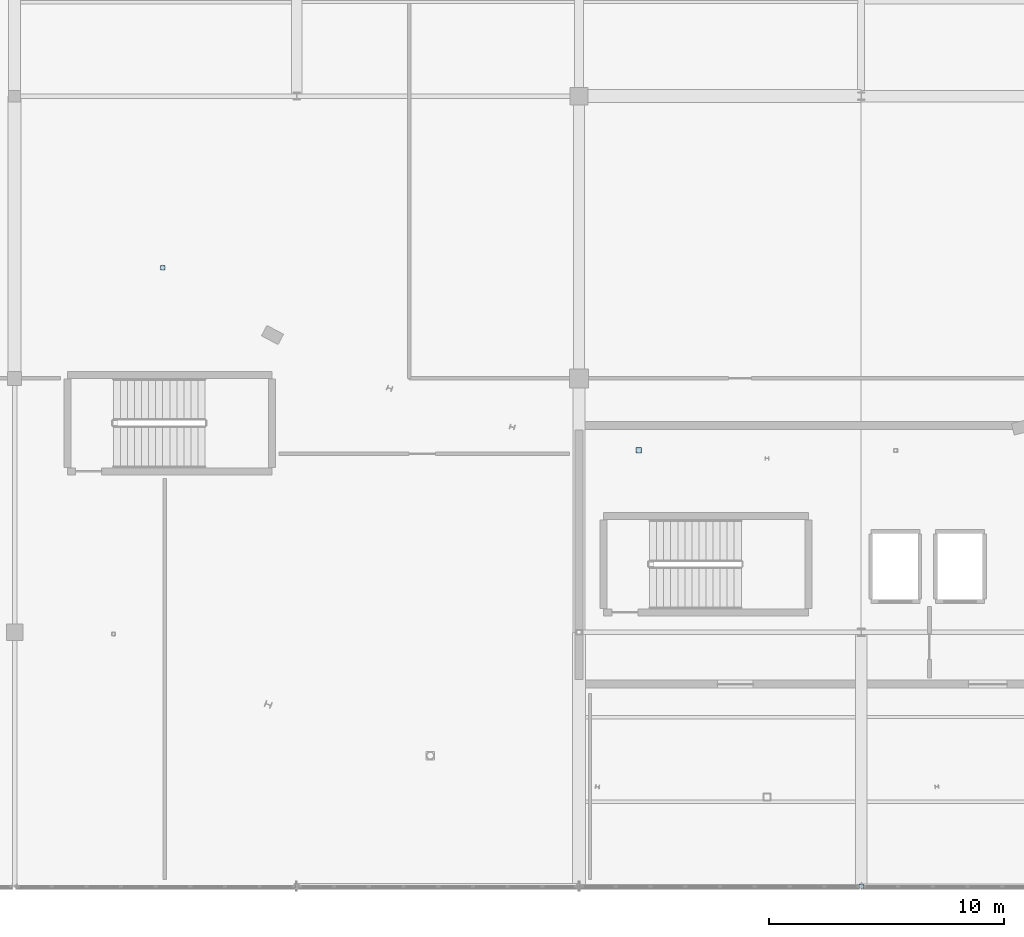
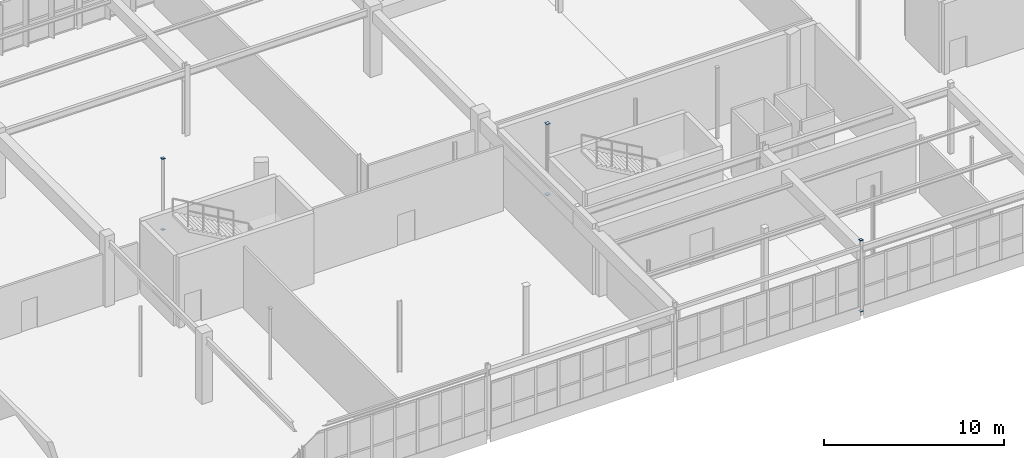
# One storey, part 162 of 226: 6 plates.
"""IFC4 building model written with IfcOpenShell, lengths in metres."""

from ifc_helpers import new_model, si_unit, direction, frame, origin, origin_2d, place, context, subcontext, project, spatial, rectangle, extrude, material, layer, layer_set, type_object, element, save


model = new_model("IFC4")

# Units and contexts
model_context = context("Model", 3, precision=1e-05, world=origin(), true_north=direction((0.0, 1.0)))
body_context = subcontext(model_context, "Body", "Model", "MODEL_VIEW")
ifc_project = project(units=[si_unit("LENGTHUNIT", "METRE"), si_unit("AREAUNIT", "SQUARE_METRE"), si_unit("VOLUMEUNIT", "CUBIC_METRE"), si_unit("PLANEANGLEUNIT", "RADIAN"), si_unit("MASSUNIT", "GRAM", prefix="KILO")], contexts=[model_context])

# Site, building, storey
site_placement = place(None, origin())
site = spatial("IfcSite", under=ifc_project, at=site_placement, CompositionType="ELEMENT")
building_placement = place(site_placement, origin())
building = spatial("IfcBuilding", under=site, at=building_placement, Name="Tarnwether General Hospital", CompositionType="ELEMENT")
storey_placement = place(building_placement, frame((0.0, 0.0, 4.800048828125)))
storey = spatial("IfcBuildingStorey", under=building, at=storey_placement, Name="L01", CompositionType="ELEMENT", Elevation=4.800048828125)

# Plates
ifc_material = material(Name="Steel Grade 350 (350 MPa)", Category="steel")
ifc_layer = layer(ifc_material, 0.02490234375)
ifc_layer_set = layer_set([ifc_layer], Name="Steel Grade 350 (350 MPa)")
plate_type = type_object("IfcPlateType", Name="PT-GUS2", PredefinedType="USERDEFINED", material=ifc_layer_set)
for number, where, z_axis, x_axis, name in (
    (1, (96.0, 0.0, -0.02490234375), (0.0, 0.0, 1.0), (1.0, 0.0, 0.0), "Hollow Section Welded End Cap Plate 0165"),
    (2, (96.0, 0.0, 4.800048828125), (0.0, 0.0, 1.0), (1.0, 0.0, 0.0), "Hollow Section Welded End Cap Plate 0166"),
    (3, (66.303955078125, 26.302001953125, -0.02490234375), (0.0, 0.0, 1.0), (1.0, 0.0, 0.0), "Hollow Section Welded End Cap Plate 0619"),
    (4, (66.303955078125, 26.302001953125, 4.800048828125), (0.0, 0.0, 1.0), (1.0, 0.0, 0.0), "Hollow Section Welded End Cap Plate 0620"),
):
    element("IfcPlate", number, at=place(storey_placement, frame(where, z_axis=z_axis, x_axis=x_axis)), inside=storey, type_object=plate_type, Name=name, ObjectType="GUSSET", PredefinedType="USERDEFINED", context=body_context, shape_type="SweptSolid", body=[
        extrude(rectangle(XDim=0.18994140625, YDim=0.18994140625, at=origin_2d()), origin(), (0.0, 0.0, 1.0), 0.02490234375),
    ])
for number, where, z_axis, x_axis, name in (
    (5, (86.5400390625, 18.533935546875, -0.02490234375), (0.0, 0.0, 1.0), (1.0, 0.0, 0.0), "Hollow Section Welded End Cap Plate 0669"),
    (6, (86.5400390625, 18.533935546875, 4.800048828125), (0.0, 0.0, 1.0), (1.0, 0.0, 0.0), "Hollow Section Welded End Cap Plate 0670"),
):
    element("IfcPlate", number, at=place(storey_placement, frame(where, z_axis=z_axis, x_axis=x_axis)), inside=storey, type_object=plate_type, Name=name, ObjectType="GUSSET", PredefinedType="USERDEFINED", context=body_context, shape_type="SweptSolid", body=[
        extrude(rectangle(XDim=0.23388671875, YDim=0.23388671875, at=origin_2d()), origin(), (0.0, 0.0, 1.0), 0.02490234375),
    ])

save(model, "model.ifc")
